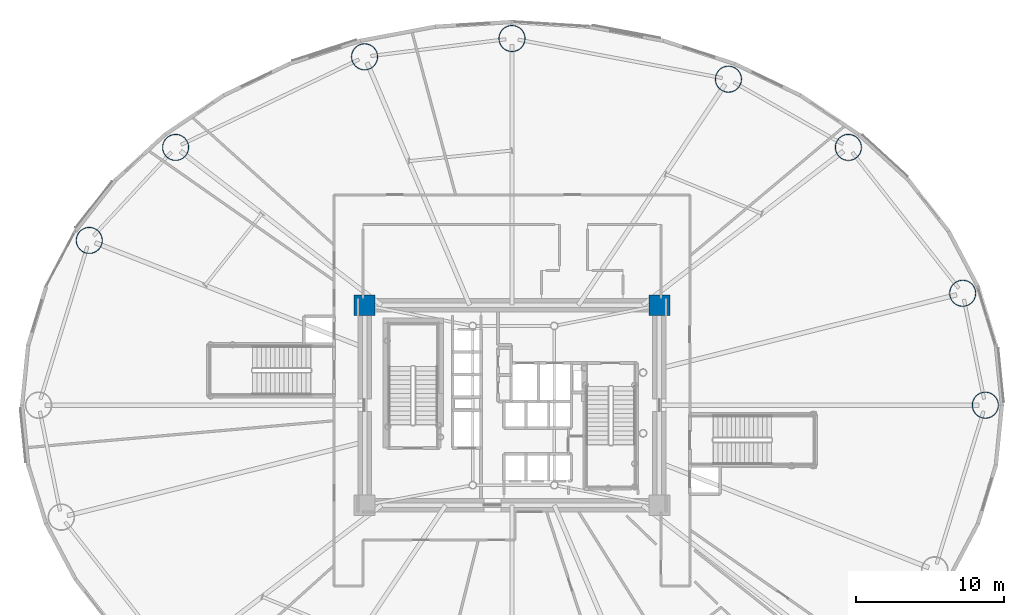
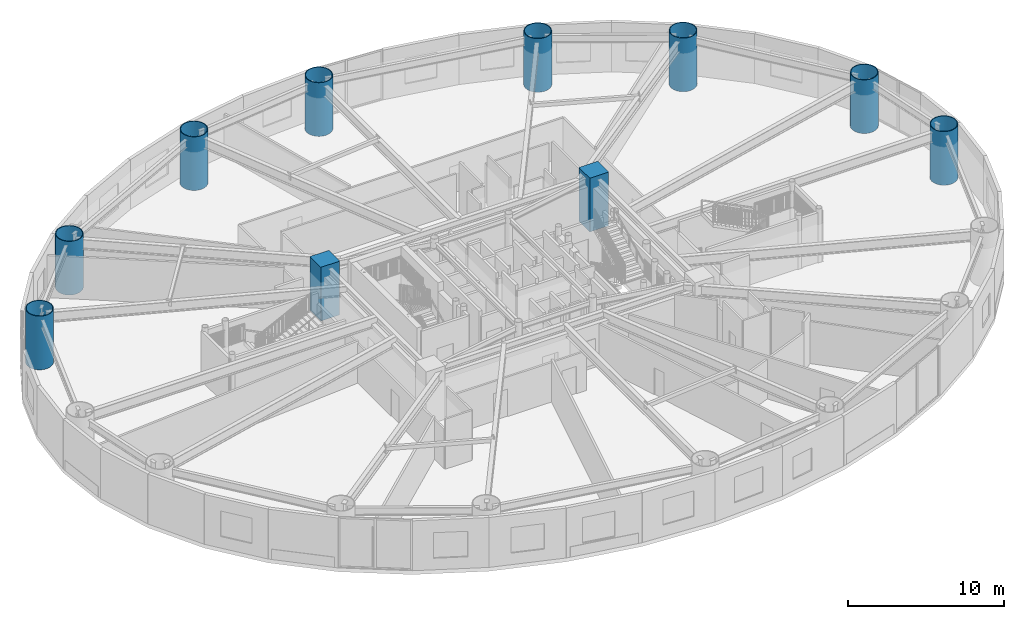
# One storey, part 3 of 30: 10 columns.
"""IFC4 building model written with IfcOpenShell, lengths in metres."""

from ifc_helpers import new_model, si_unit, direction, frame, origin, origin_2d, place, context, subcontext, project, spatial, rectangle, hollow_circle, extrude, material, material_profile, profile_set, type_object, element, save


model = new_model("IFC4")

# Units and contexts
model_context = context("Model", 3, precision=1e-05, world=origin(), true_north=direction((0.0, 1.0)))
body_context = subcontext(model_context, "Body", "Model", "MODEL_VIEW")
ifc_project = project(units=[si_unit("LENGTHUNIT", "METRE"), si_unit("AREAUNIT", "SQUARE_METRE"), si_unit("VOLUMEUNIT", "CUBIC_METRE"), si_unit("PLANEANGLEUNIT", "RADIAN"), si_unit("MASSUNIT", "GRAM", prefix="KILO")], contexts=[model_context])

# Site, building, storey
site_placement = place(None, origin())
site = spatial("IfcSite", under=ifc_project, at=site_placement, CompositionType="ELEMENT")
building_placement = place(site_placement, origin())
building = spatial("IfcBuilding", under=site, at=building_placement, Name="Linh Dai School and Residence Tower", CompositionType="ELEMENT")
storey_placement = place(building_placement, frame((0.0, 0.0, 10.199951171875)))
storey = spatial("IfcBuildingStorey", under=building, at=storey_placement, Name="L02", CompositionType="ELEMENT", Elevation=10.199951171875)

# Columns
ifc_material_1 = material(Name="Concrete B60 (C50/60)", Category="concrete")
ifc_material_profile_1 = material_profile(ifc_material_1, rectangle(XDim=1.39990234375, YDim=1.39990234375, at=origin_2d()), Name="RC 1400x1400")
ifc_profile_set_1 = profile_set([ifc_material_profile_1], Name="Concrete B60 (C50/60)")
column_type_1 = type_object("IfcColumnType", Name="COL-CC1", PredefinedType="COLUMN", material=ifc_profile_set_1)
for number, where, z_axis, x_axis, name in (
    (1, (45.949951171875, 33.75, 0.0), (0.0, 0.0, 1.0), (1.0, 0.0, 0.0), "L02 Core Corner Pier CC3"),
    (2, (26.050048828125, 33.75, 0.0), (0.0, 0.0, 1.0), (1.0, 0.0, 0.0), "L02 Core Corner Pier CC4"),
):
    element("IfcColumn", number, at=place(storey_placement, frame(where, z_axis=z_axis, x_axis=x_axis)), inside=storey, type_object=column_type_1, Name=name, PredefinedType="COLUMN", context=body_context, shape_type="SweptSolid", body=[
        extrude(rectangle(XDim=1.39990234375, YDim=1.39990234375, at=origin_2d()), origin(), (0.0, 0.0, 1.0), 4.199951171875),
    ])
ifc_material_2 = material(Name="Structural Steel S355JR", Category="steel")
ifc_material_profile_2 = material_profile(ifc_material_2, hollow_circle(Radius=0.89990234375, WallThickness=0.050048828125, at=origin_2d()), Name="CHS 1800x50")
ifc_profile_set_2 = profile_set([ifc_material_profile_2], Name="Structural Steel S355JR")
column_type_2 = type_object("IfcColumnType", Name="COL-MC1", PredefinedType="COLUMN", material=ifc_profile_set_2)
for number, where, z_axis, x_axis, name in (
    (3, (67.949951171875, 27.0, 0.0), (0.0, 0.0, 1.0), (1.0, 0.0, 0.0), "L02 Perimeter CFT Mega-Column MC01"),
    (4, (66.42041015625, 34.555419921875, 0.0), (0.0, 0.0, 1.0), (1.0, 0.0, 0.0), "L02 Perimeter CFT Mega-Column MC02"),
    (5, (58.705322265625, 44.400634765625, 0.0), (0.0, 0.0, 1.0), (1.0, 0.0, 0.0), "L02 Perimeter CFT Mega-Column MC03"),
    (6, (50.609130859375, 49.005126953125, 0.0), (0.0, 0.0, 1.0), (1.0, 0.0, 0.0), "L02 Perimeter CFT Mega-Column MC04"),
    (7, (36.0, 51.75, 0.0), (0.0, 0.0, 1.0), (1.0, 0.0, 0.0), "L02 Perimeter CFT Mega-Column MC05"),
    (8, (26.048828125, 50.51611328125, 0.0), (0.0, 0.0, 1.0), (1.0, 0.0, 0.0), "L02 Perimeter CFT Mega-Column MC06"),
    (9, (13.294677734375, 44.400634765625, 0.0), (0.0, 0.0, 1.0), (1.0, 0.0, 0.0), "L02 Perimeter CFT Mega-Column MC07"),
    (10, (7.46630859375, 38.1220703125, 0.0), (0.0, 0.0, 1.0), (1.0, 0.0, 0.0), "L02 Perimeter CFT Mega-Column MC08"),
):
    element("IfcColumn", number, at=place(storey_placement, frame(where, z_axis=z_axis, x_axis=x_axis)), inside=storey, type_object=column_type_2, Name=name, PredefinedType="COLUMN", context=body_context, shape_type="SweptSolid", body=[
        extrude(hollow_circle(Radius=0.89990234375, WallThickness=0.050048828125, at=origin_2d()), origin(), (0.0, 0.0, 1.0), 4.199951171875),
    ])

save(model, "model.ifc")
